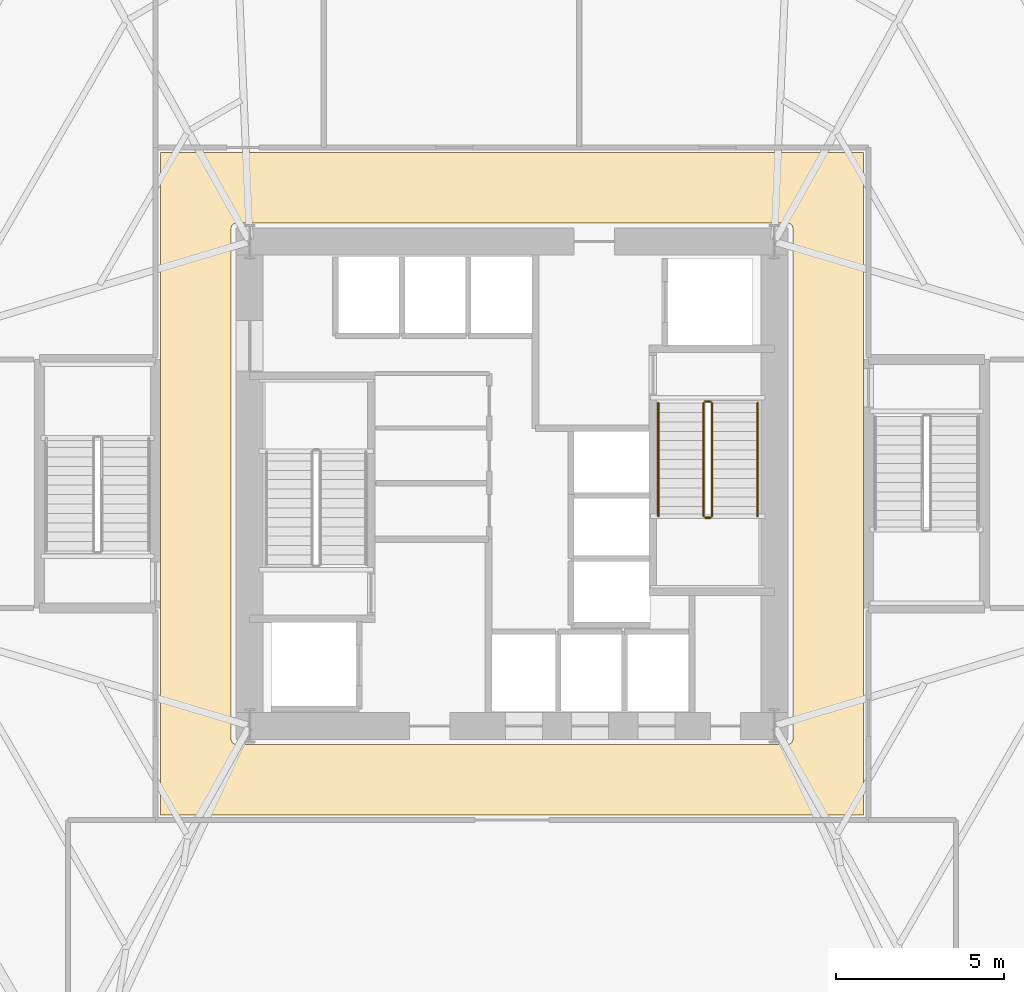
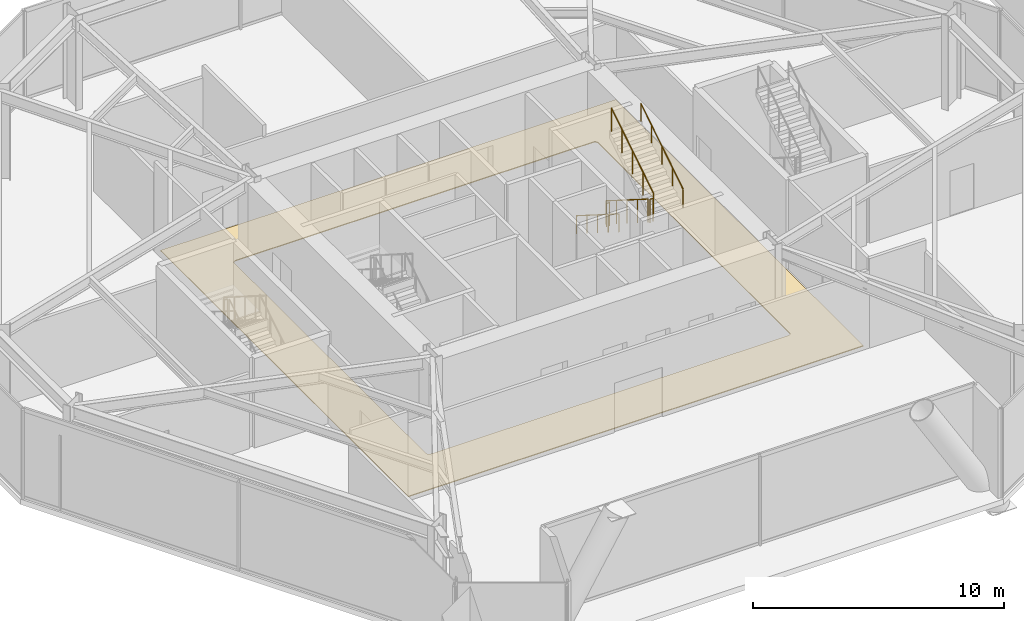
# One storey, part 21 of 23: 6 railings, 1 covering.
"""IFC4 building model written with IfcOpenShell, lengths in metres."""

from ifc_helpers import new_model, si_unit, direction, frame, origin, origin_2d, place, context, subcontext, project, spatial, polyline, circle, outline, extrude, material, layer, layer_set, type_object, element, save


model = new_model("IFC4")

# Units and contexts
model_context = context("Model", 3, precision=1e-05, world=origin(), true_north=direction((0.0, 1.0)))
body_context = subcontext(model_context, "Body", "Model", "MODEL_VIEW")
ifc_project = project(units=[si_unit("LENGTHUNIT", "METRE"), si_unit("AREAUNIT", "SQUARE_METRE"), si_unit("VOLUMEUNIT", "CUBIC_METRE"), si_unit("PLANEANGLEUNIT", "RADIAN"), si_unit("MASSUNIT", "GRAM", prefix="KILO")], contexts=[model_context])

# Site, building, storey
site_placement = place(None, origin())
site = spatial("IfcSite", under=ifc_project, at=site_placement, CompositionType="ELEMENT")
building_placement = place(site_placement, origin())
building = spatial("IfcBuilding", under=site, at=building_placement, Name="Kranzbogen Civic Tower", CompositionType="ELEMENT")
storey_placement = place(building_placement, frame((0.0, 0.0, 9.800048828125)))
storey = spatial("IfcBuildingStorey", under=building, at=storey_placement, Name="L02", CompositionType="ELEMENT", Elevation=9.800048828125)

# Covering
ifc_material_1 = material(Name="Honed Natural Stone Flooring", Category="masonry")
ifc_layer = layer(ifc_material_1, 0.0400390625, Name="Honed Natural Stone Flooring")
ifc_layer_set = layer_set([ifc_layer], Name="Honed Natural Stone Flooring")
covering_type = type_object("IfcCoveringType", Name="Honed Limestone Lobby Flooring 40 mm", PredefinedType="FLOORING", material=ifc_layer_set)
covering_placement = place(storey_placement, origin())
element("IfcCovering", 1, at=covering_placement, inside=storey, type_object=covering_type, Name="L02 honed limestone concourse flooring 1", PredefinedType="FLOORING", context=body_context, shape_type="SweptSolid", body=[
    extrude(outline(polyline([(14.550048828125, 15.14990234375), (14.550048828125, 34.85009765625), (35.449951171875, 34.85009765625), (35.449951171875, 15.14990234375), (14.550048828125, 15.14990234375)]), holes=[polyline([(33.35009765625, 17.39990234375), (33.34912109375, 17.385009765625), (33.346923828125, 17.37109375), (33.343994140625, 17.35595703125), (33.339111328125, 17.343017578125), (33.33203125, 17.3291015625), (33.324951171875, 17.31689453125), (33.31591796875, 17.304931640625), (33.305908203125, 17.2939453125), (33.294921875, 17.283935546875), (33.282958984375, 17.27490234375), (33.27099609375, 17.26806640625), (33.257080078125, 17.260986328125), (33.243896484375, 17.256103515625), (33.22900390625, 17.2529296875), (33.215087890625, 17.2509765625), (33.199951171875, 17.25), (16.800048828125, 17.25), (16.784912109375, 17.2509765625), (16.77099609375, 17.2529296875), (16.756103515625, 17.256103515625), (16.742919921875, 17.260986328125), (16.72900390625, 17.26806640625), (16.717041015625, 17.27490234375), (16.705078125, 17.283935546875), (16.694091796875, 17.2939453125), (16.68408203125, 17.304931640625), (16.675048828125, 17.31689453125), (16.66796875, 17.3291015625), (16.660888671875, 17.343017578125), (16.656005859375, 17.35595703125), (16.653076171875, 17.37109375), (16.65087890625, 17.385009765625), (16.64990234375, 17.39990234375), (16.64990234375, 32.60009765625), (16.65087890625, 32.614990234375), (16.653076171875, 32.62890625), (16.656005859375, 32.64404296875), (16.660888671875, 32.656982421875), (16.66796875, 32.6708984375), (16.675048828125, 32.68310546875), (16.68408203125, 32.695068359375), (16.694091796875, 32.7060546875), (16.705078125, 32.716064453125), (16.717041015625, 32.72509765625), (16.72900390625, 32.73193359375), (16.742919921875, 32.739013671875), (16.756103515625, 32.743896484375), (16.77099609375, 32.7470703125), (16.784912109375, 32.7490234375), (16.800048828125, 32.75), (33.199951171875, 32.75), (33.215087890625, 32.7490234375), (33.22900390625, 32.7470703125), (33.243896484375, 32.743896484375), (33.257080078125, 32.739013671875), (33.27099609375, 32.73193359375), (33.282958984375, 32.72509765625), (33.294921875, 32.716064453125), (33.305908203125, 32.7060546875), (33.31591796875, 32.695068359375), (33.324951171875, 32.68310546875), (33.33203125, 32.6708984375), (33.339111328125, 32.656982421875), (33.343994140625, 32.64404296875), (33.346923828125, 32.62890625), (33.34912109375, 32.614990234375), (33.35009765625, 32.60009765625), (33.35009765625, 17.39990234375)])]), origin(), (0.0, 0.0, 1.0), 0.0400390625),
])

# Railings
ifc_material_2 = material(Name="Steel S355", Category="steel")
railing_type_1 = type_object("IfcRailingType", Name="Internal Stair and Void Steel Guardrail 1150", PredefinedType="GUARDRAIL", material=ifc_material_2)
railing_1_placement = place(storey_placement, frame((30.699951171875, 27.39990234375, 0.1767578125)))
element("IfcRailing", 2, at=railing_1_placement, inside=storey, type_object=railing_type_1, Name="L02 ST-T2 stair guard 1", PredefinedType="GUARDRAIL", context=body_context, shape_type="SweptSolid", body=[
    extrude(circle(Radius=0.02392578125, at=origin_2d()), frame((0.0, 0.0, 1.1259765625), z_axis=(0.0, -0.845344368971, 0.534221768416), x_axis=(1.0, 0.0, 0.0)), (0.0, 0.0, 1.0), 3.974609375),
    extrude(circle(Radius=0.02099609375, at=origin_2d()), origin(), (0.0, 0.0, 1.0), 1.101806640625),
    extrude(circle(Radius=0.02099609375, at=origin_2d()), frame((0.0, -0.83984375, 0.53076171875)), (0.0, 0.0, 1.0), 1.101806640625),
    extrude(circle(Radius=0.02099609375, at=origin_2d()), frame((0.0, -1.679931640625, 1.0615234375)), (0.0, 0.0, 1.0), 1.101806640625),
    extrude(circle(Radius=0.02099609375, at=origin_2d()), frame((0.0, -2.52001953125, 1.592529296875)), (0.0, 0.0, 1.0), 1.101806640625),
    extrude(circle(Radius=0.02099609375, at=origin_2d()), frame((0.0, -3.35986328125, 2.123291015625)), (0.0, 0.0, 1.0), 1.101806640625),
])
railing_2_placement = place(storey_placement, frame((30.75, 23.989990234375, 2.300048828125)))
element("IfcRailing", 3, at=railing_2_placement, inside=storey, type_object=railing_type_1, Name="L02 ST-T2 stair guard 2", PredefinedType="GUARDRAIL", context=body_context, shape_type="SweptSolid", body=[
    extrude(circle(Radius=0.02392578125, at=origin_2d()), frame((0.0, 0.0, 1.1259765625), z_axis=(1.0, 0.0, 0.0), x_axis=(0.0, 1.0, 0.0)), (0.0, 0.0, 1.0), 0.14990234375),
    extrude(circle(Radius=0.02099609375, at=origin_2d()), origin(), (0.0, 0.0, 1.0), 1.101806640625),
    extrude(circle(Radius=0.02099609375, at=origin_2d()), frame((0.14990234375, 0.0, 0.0)), (0.0, 0.0, 1.0), 1.101806640625),
])
railing_3_placement = place(storey_placement, frame((30.949951171875, 24.0400390625, 2.476806640625)))
element("IfcRailing", 4, at=railing_3_placement, inside=storey, type_object=railing_type_1, Name="L02 ST-T2 stair guard 3", PredefinedType="GUARDRAIL", context=body_context, shape_type="SweptSolid", body=[
    extrude(circle(Radius=0.02392578125, at=origin_2d()), frame((0.0, 0.0, 1.1259765625), z_axis=(0.0, 0.845372108799, 0.534177870812), x_axis=(-1.0, 0.0, 0.0)), (0.0, 0.0, 1.0), 3.974365234375),
    extrude(circle(Radius=0.02099609375, at=origin_2d()), origin(), (0.0, 0.0, 1.0), 1.101806640625),
    extrude(circle(Radius=0.02099609375, at=origin_2d()), frame((0.0, 0.83984375, 0.53076171875)), (0.0, 0.0, 1.0), 1.101806640625),
    extrude(circle(Radius=0.02099609375, at=origin_2d()), frame((0.0, 1.679931640625, 1.0615234375)), (0.0, 0.0, 1.0), 1.101806640625),
    extrude(circle(Radius=0.02099609375, at=origin_2d()), frame((0.0, 2.52001953125, 1.59228515625)), (0.0, 0.0, 1.0), 1.101806640625),
    extrude(circle(Radius=0.02099609375, at=origin_2d()), frame((0.0, 3.35986328125, 2.123046875)), (0.0, 0.0, 1.0), 1.101806640625),
])
railing_4_placement = place(storey_placement, frame((30.75, 27.449951171875, 0.0)))
element("IfcRailing", 5, at=railing_4_placement, inside=storey, type_object=railing_type_1, Name="L02 ST-T2 stair guard 4", PredefinedType="GUARDRAIL", context=body_context, shape_type="SweptSolid", body=[
    extrude(circle(Radius=0.02392578125, at=origin_2d()), frame((0.0, 0.0, 1.1259765625), z_axis=(1.0, 0.0, 0.0), x_axis=(0.0, 1.0, 0.0)), (0.0, 0.0, 1.0), 0.14990234375),
    extrude(circle(Radius=0.02099609375, at=origin_2d()), origin(), (0.0, 0.0, 1.0), 1.101806640625),
    extrude(circle(Radius=0.02099609375, at=origin_2d()), frame((0.14990234375, 0.0, 0.0)), (0.0, 0.0, 1.0), 1.101806640625),
])
ifc_material_3 = material(Name="Pale Anodised Aluminium", Category="aluminium")
railing_type_2 = type_object("IfcRailingType", Name="Tubular Stainless Stair Wall Handrail 900", PredefinedType="HANDRAIL", material=ifc_material_3)
railing_5_placement = place(storey_placement, frame((29.35009765625, 27.39990234375, 0.1767578125)))
element("IfcRailing", 6, at=railing_5_placement, inside=storey, type_object=railing_type_2, Name="L02 ST-T2 stair handrail 1", PredefinedType="HANDRAIL", context=body_context, shape_type="SweptSolid", body=[
    extrude(circle(Radius=0.02392578125, at=origin_2d()), frame((0.0, 0.0, 0.8759765625), z_axis=(0.0, -0.845344368971, 0.534221768416), x_axis=(1.0, 0.0, 0.0)), (0.0, 0.0, 1.0), 3.974609375),
    extrude(circle(Radius=0.02099609375, at=origin_2d()), origin(), (0.0, 0.0, 1.0), 0.851806640625),
    extrude(circle(Radius=0.02099609375, at=origin_2d()), frame((0.0, -0.83984375, 0.53076171875)), (0.0, 0.0, 1.0), 0.851806640625),
    extrude(circle(Radius=0.02099609375, at=origin_2d()), frame((0.0, -1.679931640625, 1.0615234375)), (0.0, 0.0, 1.0), 0.851806640625),
    extrude(circle(Radius=0.02099609375, at=origin_2d()), frame((0.0, -2.52001953125, 1.592529296875)), (0.0, 0.0, 1.0), 0.851806640625),
    extrude(circle(Radius=0.02099609375, at=origin_2d()), frame((0.0, -3.35986328125, 2.123291015625)), (0.0, 0.0, 1.0), 0.851806640625),
])
railing_6_placement = place(storey_placement, frame((32.300048828125, 24.0400390625, 2.476806640625)))
element("IfcRailing", 7, at=railing_6_placement, inside=storey, type_object=railing_type_2, Name="L02 ST-T2 stair handrail 2", PredefinedType="HANDRAIL", context=body_context, shape_type="SweptSolid", body=[
    extrude(circle(Radius=0.02392578125, at=origin_2d()), frame((0.0, 0.0, 0.8759765625), z_axis=(0.0, 0.845372108799, 0.534177870812), x_axis=(-1.0, 0.0, 0.0)), (0.0, 0.0, 1.0), 3.974365234375),
    extrude(circle(Radius=0.02099609375, at=origin_2d()), origin(), (0.0, 0.0, 1.0), 0.851806640625),
    extrude(circle(Radius=0.02099609375, at=origin_2d()), frame((0.0, 0.83984375, 0.53076171875)), (0.0, 0.0, 1.0), 0.851806640625),
    extrude(circle(Radius=0.02099609375, at=origin_2d()), frame((0.0, 1.679931640625, 1.0615234375)), (0.0, 0.0, 1.0), 0.851806640625),
    extrude(circle(Radius=0.02099609375, at=origin_2d()), frame((0.0, 2.52001953125, 1.59228515625)), (0.0, 0.0, 1.0), 0.851806640625),
    extrude(circle(Radius=0.02099609375, at=origin_2d()), frame((0.0, 3.35986328125, 2.123046875)), (0.0, 0.0, 1.0), 0.851806640625),
])

save(model, "model.ifc")
